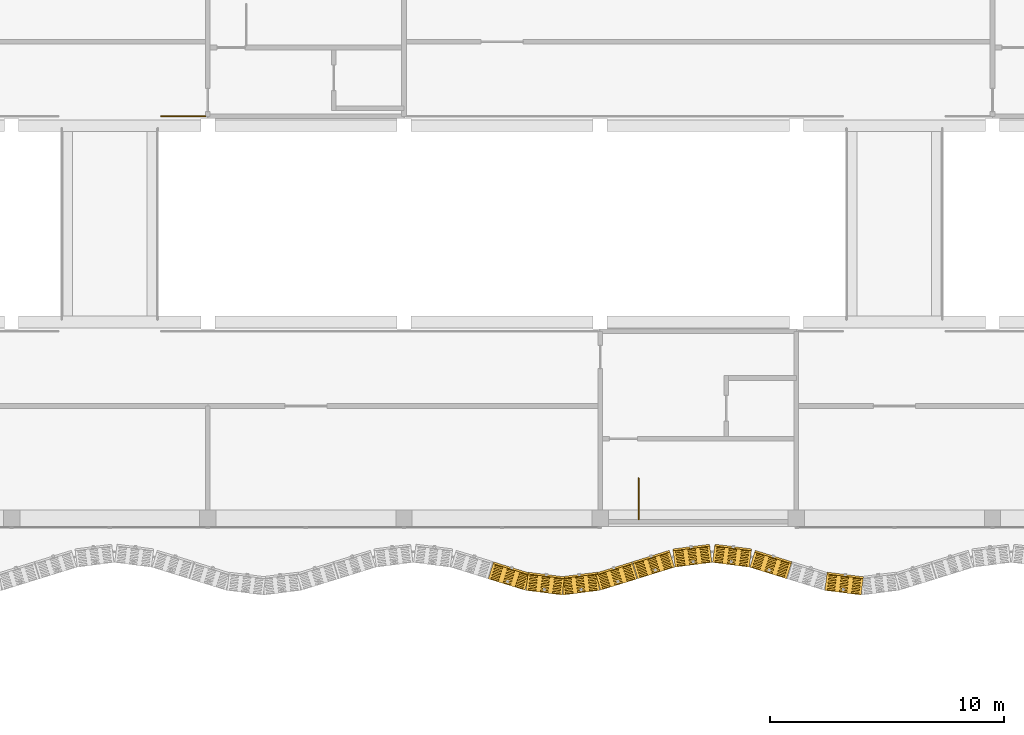
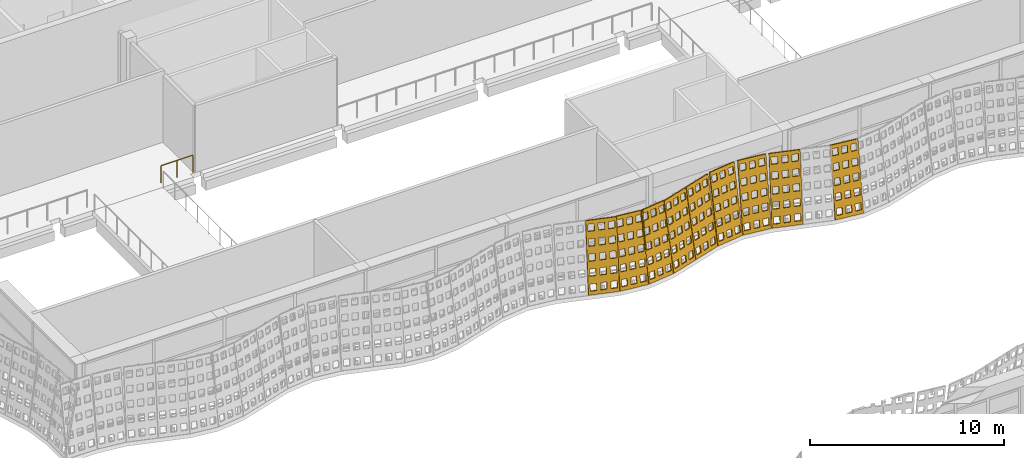
# One storey, part 133 of 162: 9 coverings, 2 railings.
"""IFC4 building model written with IfcOpenShell, lengths in metres."""

from ifc_helpers import new_model, si_unit, direction, frame, origin, origin_2d, place, context, subcontext, project, spatial, polyline, circle, outline, extrude, material, layer, layer_set, type_object, element, save


model = new_model("IFC4")

# Units and contexts
model_context = context("Model", 3, precision=1e-05, world=origin(), true_north=direction((0.0, 1.0)))
body_context = subcontext(model_context, "Body", "Model", "MODEL_VIEW")
ifc_project = project(units=[si_unit("LENGTHUNIT", "METRE"), si_unit("AREAUNIT", "SQUARE_METRE"), si_unit("VOLUMEUNIT", "CUBIC_METRE"), si_unit("PLANEANGLEUNIT", "RADIAN"), si_unit("MASSUNIT", "GRAM", prefix="KILO")], contexts=[model_context])

# Site, building, storey
site_placement = place(None, origin())
site = spatial("IfcSite", under=ifc_project, at=site_placement, CompositionType="ELEMENT")
building_placement = place(site_placement, origin())
building = spatial("IfcBuilding", under=site, at=building_placement, Name="Rain Tree Exposition and Congress Centre", CompositionType="ELEMENT")
storey_placement = place(building_placement, frame((0.0, 0.0, 6.0)))
storey = spatial("IfcBuildingStorey", under=building, at=storey_placement, Name="L01", CompositionType="ELEMENT", Elevation=6.0)

# Railings
ifc_material_1 = material(Name="Aluminium and glass balustrade", Category="aluminium")
railing_type = type_object("IfcRailingType", Name="Concourse guard 1100", PredefinedType="GUARDRAIL", material=ifc_material_1)
railing_1_placement = place(storey_placement, frame((35.25, 75.550048828125, 0.0)))
element("IfcRailing", 1, at=railing_1_placement, inside=storey, type_object=railing_type, Name="L01 ST-C1 top well guard 1", PredefinedType="GUARDRAIL", context=body_context, shape_type="SweptSolid", body=[
    extrude(circle(Radius=0.02392578125, at=origin_2d()), frame((0.0, 0.0, 1.076171875), z_axis=(0.0, 1.0, 0.0), x_axis=(-1.0, 0.0, 0.0)), (0.0, 0.0, 1.0), 1.75),
    extrude(circle(Radius=0.02099609375, at=origin_2d()), origin(), (0.0, 0.0, 1.0), 1.052001953125),
    extrude(circle(Radius=0.02099609375, at=origin_2d()), frame((0.0, 0.875, 0.0)), (0.0, 0.0, 1.0), 1.052001953125),
    extrude(circle(Radius=0.02099609375, at=origin_2d()), frame((0.0, 1.75, 0.0)), (0.0, 0.0, 1.0), 1.052001953125),
])
railing_2_placement = place(storey_placement, frame((14.800048828125, 92.800048828125, 0.0)))
element("IfcRailing", 2, at=railing_2_placement, inside=storey, type_object=railing_type, Name="Concourse promenade guard 15", PredefinedType="GUARDRAIL", context=body_context, shape_type="SweptSolid", body=[
    extrude(circle(Radius=0.02392578125, at=origin_2d()), frame((0.0, 0.0, 1.076171875), z_axis=(1.0, 0.0, 0.0), x_axis=(0.0, 1.0, 0.0)), (0.0, 0.0, 1.0), 1.89990234375),
    extrude(circle(Radius=0.02099609375, at=origin_2d()), origin(), (0.0, 0.0, 1.0), 1.052001953125),
    extrude(circle(Radius=0.02099609375, at=origin_2d()), frame((0.949951171875, 0.0, 0.0)), (0.0, 0.0, 1.0), 1.052001953125),
    extrude(circle(Radius=0.02099609375, at=origin_2d()), frame((1.89990234375, 0.0, 0.0)), (0.0, 0.0, 1.0), 1.052001953125),
])

# Coverings
ifc_material_2 = material(Name="Perforated terracotta", Category="masonry")
ifc_layer = layer(ifc_material_2, 0.080078125)
ifc_layer_set = layer_set([ifc_layer], Name="Perforated terracotta")
covering_type = type_object("IfcCoveringType", Name="Terracotta screen 80", PredefinedType="CLADDING", material=ifc_layer_set)
covering_1_placement = place(storey_placement, frame((28.800537109375, 73.001708984375, 0.0126953125), z_axis=(0.292932171154, 0.942875425902, -0.158671592708), x_axis=(-0.954973588716, 0.296690823679, 0.0)))
element("IfcCovering", 3, at=covering_1_placement, inside=storey, type_object=covering_type, Name="concourse/screen/L01/019", PredefinedType="CLADDING", context=body_context, shape_type="SweptSolid", body=[
    extrude(outline(polyline([(-1.65283203125, 0.0), (-1.65283203125, 4.29150390625), (-0.014892578125, 4.29150390625), (-0.014892578125, 0.0), (-1.65283203125, 0.0)]), holes=[polyline([(-0.11865234375, 0.221435546875), (-0.11865234375, 0.63671875), (-0.457275390625, 0.63671875), (-0.457275390625, 0.221435546875), (-0.11865234375, 0.221435546875)]), polyline([(-0.11865234375, 1.079833984375), (-0.11865234375, 1.4951171875), (-0.457275390625, 1.4951171875), (-0.457275390625, 1.079833984375), (-0.11865234375, 1.079833984375)]), polyline([(-0.11865234375, 1.93798828125), (-0.11865234375, 2.353271484375), (-0.457275390625, 2.353271484375), (-0.457275390625, 1.93798828125), (-0.11865234375, 1.93798828125)]), polyline([(-0.11865234375, 2.79638671875), (-0.11865234375, 3.211669921875), (-0.457275390625, 3.211669921875), (-0.457275390625, 2.79638671875), (-0.11865234375, 2.79638671875)]), polyline([(-0.11865234375, 3.654541015625), (-0.11865234375, 4.06982421875), (-0.457275390625, 4.06982421875), (-0.457275390625, 3.654541015625), (-0.11865234375, 3.654541015625)]), polyline([(-0.664794921875, 0.221435546875), (-0.664794921875, 0.63671875), (-1.003173828125, 0.63671875), (-1.003173828125, 0.221435546875), (-0.664794921875, 0.221435546875)]), polyline([(-0.664794921875, 1.079833984375), (-0.664794921875, 1.4951171875), (-1.003173828125, 1.4951171875), (-1.003173828125, 1.079833984375), (-0.664794921875, 1.079833984375)]), polyline([(-0.664794921875, 1.93798828125), (-0.664794921875, 2.353271484375), (-1.003173828125, 2.353271484375), (-1.003173828125, 1.93798828125), (-0.664794921875, 1.93798828125)]), polyline([(-0.664794921875, 2.79638671875), (-0.664794921875, 3.211669921875), (-1.003173828125, 3.211669921875), (-1.003173828125, 2.79638671875), (-0.664794921875, 2.79638671875)]), polyline([(-0.664794921875, 3.654541015625), (-0.664794921875, 4.06982421875), (-1.003173828125, 4.06982421875), (-1.003173828125, 3.654541015625), (-0.664794921875, 3.654541015625)]), polyline([(-1.210693359375, 0.221435546875), (-1.210693359375, 0.63671875), (-1.54931640625, 0.63671875), (-1.54931640625, 0.221435546875), (-1.210693359375, 0.221435546875)]), polyline([(-1.210693359375, 1.079833984375), (-1.210693359375, 1.4951171875), (-1.54931640625, 1.4951171875), (-1.54931640625, 1.079833984375), (-1.210693359375, 1.079833984375)]), polyline([(-1.210693359375, 1.93798828125), (-1.210693359375, 2.353271484375), (-1.54931640625, 2.353271484375), (-1.54931640625, 1.93798828125), (-1.210693359375, 1.93798828125)]), polyline([(-1.210693359375, 2.79638671875), (-1.210693359375, 3.211669921875), (-1.54931640625, 3.211669921875), (-1.54931640625, 2.79638671875), (-1.210693359375, 2.79638671875)]), polyline([(-1.210693359375, 3.654541015625), (-1.210693359375, 4.06982421875), (-1.54931640625, 4.06982421875), (-1.54931640625, 3.654541015625), (-1.210693359375, 3.654541015625)])]), origin(), (0.0, 0.0, 1.0), 0.080078125),
])
covering_2_placement = place(storey_placement, frame((30.400390625, 72.5068359375, 0.01318359375), z_axis=(0.124968640969, 0.978413018317, -0.164592844203), x_axis=(-0.991941518713, 0.126696580272, 0.0)))
element("IfcCovering", 4, at=covering_2_placement, inside=storey, type_object=covering_type, Name="concourse/screen/L01/020", PredefinedType="CLADDING", context=body_context, shape_type="SweptSolid", body=[
    extrude(outline(polyline([(-1.587890625, 0.0), (-1.587890625, 4.295166015625), (-0.02197265625, 4.295166015625), (-0.02197265625, 0.0), (-1.587890625, 0.0)]), holes=[polyline([(-0.12109375, 0.2216796875), (-0.12109375, 0.63720703125), (-0.444580078125, 0.63720703125), (-0.444580078125, 0.2216796875), (-0.12109375, 0.2216796875)]), polyline([(-0.12109375, 1.080810546875), (-0.12109375, 1.496337890625), (-0.444580078125, 1.496337890625), (-0.444580078125, 1.080810546875), (-0.12109375, 1.080810546875)]), polyline([(-0.12109375, 1.939697265625), (-0.12109375, 2.35546875), (-0.444580078125, 2.35546875), (-0.444580078125, 1.939697265625), (-0.12109375, 1.939697265625)]), polyline([(-0.12109375, 2.798583984375), (-0.12109375, 3.21435546875), (-0.444580078125, 3.21435546875), (-0.444580078125, 2.798583984375), (-0.12109375, 2.798583984375)]), polyline([(-0.12109375, 3.65771484375), (-0.12109375, 4.073486328125), (-0.444580078125, 4.073486328125), (-0.444580078125, 3.65771484375), (-0.12109375, 3.65771484375)]), polyline([(-0.64306640625, 0.2216796875), (-0.64306640625, 0.63720703125), (-0.966796875, 0.63720703125), (-0.966796875, 0.2216796875), (-0.64306640625, 0.2216796875)]), polyline([(-0.64306640625, 1.080810546875), (-0.64306640625, 1.496337890625), (-0.966796875, 1.496337890625), (-0.966796875, 1.080810546875), (-0.64306640625, 1.080810546875)]), polyline([(-0.64306640625, 1.939697265625), (-0.64306640625, 2.35546875), (-0.966796875, 2.35546875), (-0.966796875, 1.939697265625), (-0.64306640625, 1.939697265625)]), polyline([(-0.64306640625, 2.798583984375), (-0.64306640625, 3.21435546875), (-0.966796875, 3.21435546875), (-0.966796875, 2.798583984375), (-0.64306640625, 2.798583984375)]), polyline([(-0.64306640625, 3.65771484375), (-0.64306640625, 4.073486328125), (-0.966796875, 4.073486328125), (-0.966796875, 3.65771484375), (-0.64306640625, 3.65771484375)]), polyline([(-1.1650390625, 0.2216796875), (-1.1650390625, 0.63720703125), (-1.48876953125, 0.63720703125), (-1.48876953125, 0.2216796875), (-1.1650390625, 0.2216796875)]), polyline([(-1.1650390625, 1.080810546875), (-1.1650390625, 1.496337890625), (-1.48876953125, 1.496337890625), (-1.48876953125, 1.080810546875), (-1.1650390625, 1.080810546875)]), polyline([(-1.1650390625, 1.939697265625), (-1.1650390625, 2.35546875), (-1.48876953125, 2.35546875), (-1.48876953125, 1.939697265625), (-1.1650390625, 1.939697265625)]), polyline([(-1.1650390625, 2.798583984375), (-1.1650390625, 3.21435546875), (-1.48876953125, 3.21435546875), (-1.48876953125, 2.798583984375), (-1.1650390625, 2.798583984375)]), polyline([(-1.1650390625, 3.65771484375), (-1.1650390625, 4.073486328125), (-1.48876953125, 4.073486328125), (-1.48876953125, 3.65771484375), (-1.1650390625, 3.65771484375)])]), origin(), (0.0, 0.0, 1.0), 0.080078125),
])
covering_3_placement = place(storey_placement, frame((31.999755859375, 72.302001953125, 0.01318359375), z_axis=(-0.125342414455, 0.978282259159, -0.165085131233), x_axis=(-0.991891686382, -0.127086122318, 0.0)))
element("IfcCovering", 5, at=covering_3_placement, inside=storey, type_object=covering_type, Name="concourse/screen/L01/021", PredefinedType="CLADDING", context=body_context, shape_type="SweptSolid", body=[
    extrude(outline(polyline([(-1.59130859375, 0.0), (-1.59130859375, 4.295166015625), (-0.025146484375, 4.295166015625), (-0.025146484375, 0.0), (-1.59130859375, 0.0)]), holes=[polyline([(-0.12451171875, 0.2216796875), (-0.12451171875, 0.63720703125), (-0.447998046875, 0.63720703125), (-0.447998046875, 0.2216796875), (-0.12451171875, 0.2216796875)]), polyline([(-0.12451171875, 1.080810546875), (-0.12451171875, 1.496337890625), (-0.447998046875, 1.496337890625), (-0.447998046875, 1.080810546875), (-0.12451171875, 1.080810546875)]), polyline([(-0.12451171875, 1.939697265625), (-0.12451171875, 2.35546875), (-0.447998046875, 2.35546875), (-0.447998046875, 1.939697265625), (-0.12451171875, 1.939697265625)]), polyline([(-0.12451171875, 2.798583984375), (-0.12451171875, 3.21435546875), (-0.447998046875, 3.21435546875), (-0.447998046875, 2.798583984375), (-0.12451171875, 2.798583984375)]), polyline([(-0.12451171875, 3.65771484375), (-0.12451171875, 4.073486328125), (-0.447998046875, 4.073486328125), (-0.447998046875, 3.65771484375), (-0.12451171875, 3.65771484375)]), polyline([(-0.646484375, 0.2216796875), (-0.646484375, 0.63720703125), (-0.969970703125, 0.63720703125), (-0.969970703125, 0.2216796875), (-0.646484375, 0.2216796875)]), polyline([(-0.646484375, 1.080810546875), (-0.646484375, 1.496337890625), (-0.969970703125, 1.496337890625), (-0.969970703125, 1.080810546875), (-0.646484375, 1.080810546875)]), polyline([(-0.646484375, 1.939697265625), (-0.646484375, 2.35546875), (-0.969970703125, 2.35546875), (-0.969970703125, 1.939697265625), (-0.646484375, 1.939697265625)]), polyline([(-0.646484375, 2.798583984375), (-0.646484375, 3.21435546875), (-0.969970703125, 3.21435546875), (-0.969970703125, 2.798583984375), (-0.646484375, 2.798583984375)]), polyline([(-0.646484375, 3.65771484375), (-0.646484375, 4.073486328125), (-0.969970703125, 4.073486328125), (-0.969970703125, 3.65771484375), (-0.646484375, 3.65771484375)]), polyline([(-1.16845703125, 0.2216796875), (-1.16845703125, 0.63720703125), (-1.491943359375, 0.63720703125), (-1.491943359375, 0.2216796875), (-1.16845703125, 0.2216796875)]), polyline([(-1.16845703125, 1.080810546875), (-1.16845703125, 1.496337890625), (-1.491943359375, 1.496337890625), (-1.491943359375, 1.080810546875), (-1.16845703125, 1.080810546875)]), polyline([(-1.16845703125, 1.939697265625), (-1.16845703125, 2.35546875), (-1.491943359375, 2.35546875), (-1.491943359375, 1.939697265625), (-1.16845703125, 1.939697265625)]), polyline([(-1.16845703125, 2.798583984375), (-1.16845703125, 3.21435546875), (-1.491943359375, 3.21435546875), (-1.491943359375, 2.798583984375), (-1.16845703125, 2.798583984375)]), polyline([(-1.16845703125, 3.65771484375), (-1.16845703125, 4.073486328125), (-1.491943359375, 4.073486328125), (-1.491943359375, 3.65771484375), (-1.16845703125, 3.65771484375)])]), origin(), (0.0, 0.0, 1.0), 0.079833984375),
])
covering_4_placement = place(storey_placement, frame((33.599365234375, 72.506591796875, 0.0126953125), z_axis=(-0.290138898064, 0.943714942124, -0.158812870519), x_axis=(-0.955845867297, -0.293868470528, 0.0)))
element("IfcCovering", 6, at=covering_4_placement, inside=storey, type_object=covering_type, Name="concourse/screen/L01/022", PredefinedType="CLADDING", context=body_context, shape_type="SweptSolid", body=[
    extrude(outline(polyline([(-1.659912109375, 0.0), (-1.659912109375, 4.29150390625), (-0.02197265625, 4.29150390625), (-0.02197265625, 0.0), (-1.659912109375, 0.0)]), holes=[polyline([(-0.125732421875, 0.221435546875), (-0.125732421875, 0.63671875), (-0.464111328125, 0.63671875), (-0.464111328125, 0.221435546875), (-0.125732421875, 0.221435546875)]), polyline([(-0.125732421875, 1.079833984375), (-0.125732421875, 1.4951171875), (-0.464111328125, 1.4951171875), (-0.464111328125, 1.079833984375), (-0.125732421875, 1.079833984375)]), polyline([(-0.125732421875, 1.93798828125), (-0.125732421875, 2.353271484375), (-0.464111328125, 2.353271484375), (-0.464111328125, 1.93798828125), (-0.125732421875, 1.93798828125)]), polyline([(-0.125732421875, 2.79638671875), (-0.125732421875, 3.211669921875), (-0.464111328125, 3.211669921875), (-0.464111328125, 2.79638671875), (-0.125732421875, 2.79638671875)]), polyline([(-0.125732421875, 3.654541015625), (-0.125732421875, 4.06982421875), (-0.464111328125, 4.06982421875), (-0.464111328125, 3.654541015625), (-0.125732421875, 3.654541015625)]), polyline([(-0.671630859375, 0.221435546875), (-0.671630859375, 0.63671875), (-1.010009765625, 0.63671875), (-1.010009765625, 0.221435546875), (-0.671630859375, 0.221435546875)]), polyline([(-0.671630859375, 1.079833984375), (-0.671630859375, 1.4951171875), (-1.010009765625, 1.4951171875), (-1.010009765625, 1.079833984375), (-0.671630859375, 1.079833984375)]), polyline([(-0.671630859375, 1.93798828125), (-0.671630859375, 2.353271484375), (-1.010009765625, 2.353271484375), (-1.010009765625, 1.93798828125), (-0.671630859375, 1.93798828125)]), polyline([(-0.671630859375, 2.79638671875), (-0.671630859375, 3.211669921875), (-1.010009765625, 3.211669921875), (-1.010009765625, 2.79638671875), (-0.671630859375, 2.79638671875)]), polyline([(-0.671630859375, 3.654541015625), (-0.671630859375, 4.06982421875), (-1.010009765625, 4.06982421875), (-1.010009765625, 3.654541015625), (-0.671630859375, 3.654541015625)]), polyline([(-1.217529296875, 0.221435546875), (-1.217529296875, 0.63671875), (-1.55615234375, 0.63671875), (-1.55615234375, 0.221435546875), (-1.217529296875, 0.221435546875)]), polyline([(-1.217529296875, 1.079833984375), (-1.217529296875, 1.4951171875), (-1.55615234375, 1.4951171875), (-1.55615234375, 1.079833984375), (-1.217529296875, 1.079833984375)]), polyline([(-1.217529296875, 1.93798828125), (-1.217529296875, 2.353271484375), (-1.55615234375, 2.353271484375), (-1.55615234375, 1.93798828125), (-1.217529296875, 1.93798828125)]), polyline([(-1.217529296875, 2.79638671875), (-1.217529296875, 3.211669921875), (-1.55615234375, 3.211669921875), (-1.55615234375, 2.79638671875), (-1.217529296875, 2.79638671875)]), polyline([(-1.217529296875, 3.654541015625), (-1.217529296875, 4.06982421875), (-1.55615234375, 4.06982421875), (-1.55615234375, 3.654541015625), (-1.217529296875, 3.654541015625)])]), origin(), (0.0, 0.0, 1.0), 0.079833984375),
])
covering_5_placement = place(storey_placement, frame((35.199462890625, 73.001708984375, 0.0126953125), z_axis=(-0.292932171154, 0.942875425902, -0.158671592708), x_axis=(-0.954973588716, -0.296690823679, 0.0)))
element("IfcCovering", 7, at=covering_5_placement, inside=storey, type_object=covering_type, Name="concourse/screen/L01/023", PredefinedType="CLADDING", context=body_context, shape_type="SweptSolid", body=[
    extrude(outline(polyline([(-1.659912109375, 0.0), (-1.659912109375, 4.29150390625), (-0.014892578125, 4.29150390625), (-0.014892578125, 0.0), (-1.659912109375, 0.0)]), holes=[polyline([(-0.119140625, 0.221435546875), (-0.119140625, 0.63671875), (-0.458984375, 0.63671875), (-0.458984375, 0.221435546875), (-0.119140625, 0.221435546875)]), polyline([(-0.119140625, 1.079833984375), (-0.119140625, 1.4951171875), (-0.458984375, 1.4951171875), (-0.458984375, 1.079833984375), (-0.119140625, 1.079833984375)]), polyline([(-0.119140625, 1.93798828125), (-0.119140625, 2.353271484375), (-0.458984375, 2.353271484375), (-0.458984375, 1.93798828125), (-0.119140625, 1.93798828125)]), polyline([(-0.119140625, 2.79638671875), (-0.119140625, 3.211669921875), (-0.458984375, 3.211669921875), (-0.458984375, 2.79638671875), (-0.119140625, 2.79638671875)]), polyline([(-0.119140625, 3.654541015625), (-0.119140625, 4.06982421875), (-0.458984375, 4.06982421875), (-0.458984375, 3.654541015625), (-0.119140625, 3.654541015625)]), polyline([(-0.66748046875, 0.221435546875), (-0.66748046875, 0.63671875), (-1.00732421875, 0.63671875), (-1.00732421875, 0.221435546875), (-0.66748046875, 0.221435546875)]), polyline([(-0.66748046875, 1.079833984375), (-0.66748046875, 1.4951171875), (-1.00732421875, 1.4951171875), (-1.00732421875, 1.079833984375), (-0.66748046875, 1.079833984375)]), polyline([(-0.66748046875, 1.93798828125), (-0.66748046875, 2.353271484375), (-1.00732421875, 2.353271484375), (-1.00732421875, 1.93798828125), (-0.66748046875, 1.93798828125)]), polyline([(-0.66748046875, 2.79638671875), (-0.66748046875, 3.211669921875), (-1.00732421875, 3.211669921875), (-1.00732421875, 2.79638671875), (-0.66748046875, 2.79638671875)]), polyline([(-0.66748046875, 3.654541015625), (-0.66748046875, 4.06982421875), (-1.00732421875, 4.06982421875), (-1.00732421875, 3.654541015625), (-0.66748046875, 3.654541015625)]), polyline([(-1.2158203125, 0.221435546875), (-1.2158203125, 0.63671875), (-1.5556640625, 0.63671875), (-1.5556640625, 0.221435546875), (-1.2158203125, 0.221435546875)]), polyline([(-1.2158203125, 1.079833984375), (-1.2158203125, 1.4951171875), (-1.5556640625, 1.4951171875), (-1.5556640625, 1.079833984375), (-1.2158203125, 1.079833984375)]), polyline([(-1.2158203125, 1.93798828125), (-1.2158203125, 2.353271484375), (-1.5556640625, 2.353271484375), (-1.5556640625, 1.93798828125), (-1.2158203125, 1.93798828125)]), polyline([(-1.2158203125, 2.79638671875), (-1.2158203125, 3.211669921875), (-1.5556640625, 3.211669921875), (-1.5556640625, 2.79638671875), (-1.2158203125, 2.79638671875)]), polyline([(-1.2158203125, 3.654541015625), (-1.2158203125, 4.06982421875), (-1.5556640625, 4.06982421875), (-1.5556640625, 3.654541015625), (-1.2158203125, 3.654541015625)])]), origin(), (0.0, 0.0, 1.0), 0.080078125),
])
covering_6_placement = place(storey_placement, frame((36.7998046875, 73.496826171875, 0.01318359375), z_axis=(-0.124968640969, 0.978413018317, -0.164592844203), x_axis=(-0.991941518713, -0.126696580272, 0.0)))
element("IfcCovering", 8, at=covering_6_placement, inside=storey, type_object=covering_type, Name="concourse/screen/L01/024", PredefinedType="CLADDING", context=body_context, shape_type="SweptSolid", body=[
    extrude(outline(polyline([(-1.59814453125, 0.0), (-1.59814453125, 4.295166015625), (-0.014892578125, 4.295166015625), (-0.014892578125, 0.0), (-1.59814453125, 0.0)]), holes=[polyline([(-0.115234375, 0.2216796875), (-0.115234375, 0.63720703125), (-0.4423828125, 0.63720703125), (-0.4423828125, 0.2216796875), (-0.115234375, 0.2216796875)]), polyline([(-0.115234375, 1.080810546875), (-0.115234375, 1.496337890625), (-0.4423828125, 1.496337890625), (-0.4423828125, 1.080810546875), (-0.115234375, 1.080810546875)]), polyline([(-0.115234375, 1.939697265625), (-0.115234375, 2.35546875), (-0.4423828125, 2.35546875), (-0.4423828125, 1.939697265625), (-0.115234375, 1.939697265625)]), polyline([(-0.115234375, 2.798583984375), (-0.115234375, 3.21435546875), (-0.4423828125, 3.21435546875), (-0.4423828125, 2.798583984375), (-0.115234375, 2.798583984375)]), polyline([(-0.115234375, 3.65771484375), (-0.115234375, 4.073486328125), (-0.4423828125, 4.073486328125), (-0.4423828125, 3.65771484375), (-0.115234375, 3.65771484375)]), polyline([(-0.64306640625, 0.2216796875), (-0.64306640625, 0.63720703125), (-0.97021484375, 0.63720703125), (-0.97021484375, 0.2216796875), (-0.64306640625, 0.2216796875)]), polyline([(-0.64306640625, 1.080810546875), (-0.64306640625, 1.496337890625), (-0.97021484375, 1.496337890625), (-0.97021484375, 1.080810546875), (-0.64306640625, 1.080810546875)]), polyline([(-0.64306640625, 1.939697265625), (-0.64306640625, 2.35546875), (-0.97021484375, 2.35546875), (-0.97021484375, 1.939697265625), (-0.64306640625, 1.939697265625)]), polyline([(-0.64306640625, 2.798583984375), (-0.64306640625, 3.21435546875), (-0.97021484375, 3.21435546875), (-0.97021484375, 2.798583984375), (-0.64306640625, 2.798583984375)]), polyline([(-0.64306640625, 3.65771484375), (-0.64306640625, 4.073486328125), (-0.97021484375, 4.073486328125), (-0.97021484375, 3.65771484375), (-0.64306640625, 3.65771484375)]), polyline([(-1.170654296875, 0.2216796875), (-1.170654296875, 0.63720703125), (-1.497802734375, 0.63720703125), (-1.497802734375, 0.2216796875), (-1.170654296875, 0.2216796875)]), polyline([(-1.170654296875, 1.080810546875), (-1.170654296875, 1.496337890625), (-1.497802734375, 1.496337890625), (-1.497802734375, 1.080810546875), (-1.170654296875, 1.080810546875)]), polyline([(-1.170654296875, 1.939697265625), (-1.170654296875, 2.35546875), (-1.497802734375, 2.35546875), (-1.497802734375, 1.939697265625), (-1.170654296875, 1.939697265625)]), polyline([(-1.170654296875, 2.798583984375), (-1.170654296875, 3.21435546875), (-1.497802734375, 3.21435546875), (-1.497802734375, 2.798583984375), (-1.170654296875, 2.798583984375)]), polyline([(-1.170654296875, 3.65771484375), (-1.170654296875, 4.073486328125), (-1.497802734375, 4.073486328125), (-1.497802734375, 3.65771484375), (-1.170654296875, 3.65771484375)])]), origin(), (0.0, 0.0, 1.0), 0.080078125),
])
covering_7_placement = place(storey_placement, frame((38.400390625, 73.701904296875, 0.01318359375), z_axis=(0.125342414455, 0.978282259159, -0.165085131233), x_axis=(-0.991891686382, 0.127086122318, 0.0)))
element("IfcCovering", 9, at=covering_7_placement, inside=storey, type_object=covering_type, Name="concourse/screen/L01/025", PredefinedType="CLADDING", context=body_context, shape_type="SweptSolid", body=[
    extrude(outline(polyline([(-1.59814453125, 0.0), (-1.59814453125, 4.295166015625), (-0.014892578125, 4.295166015625), (-0.014892578125, 0.0), (-1.59814453125, 0.0)]), holes=[polyline([(-0.115234375, 0.2216796875), (-0.115234375, 0.63720703125), (-0.4423828125, 0.63720703125), (-0.4423828125, 0.2216796875), (-0.115234375, 0.2216796875)]), polyline([(-0.115234375, 1.080810546875), (-0.115234375, 1.496337890625), (-0.4423828125, 1.496337890625), (-0.4423828125, 1.080810546875), (-0.115234375, 1.080810546875)]), polyline([(-0.115234375, 1.939697265625), (-0.115234375, 2.35546875), (-0.4423828125, 2.35546875), (-0.4423828125, 1.939697265625), (-0.115234375, 1.939697265625)]), polyline([(-0.115234375, 2.798583984375), (-0.115234375, 3.21435546875), (-0.4423828125, 3.21435546875), (-0.4423828125, 2.798583984375), (-0.115234375, 2.798583984375)]), polyline([(-0.115234375, 3.65771484375), (-0.115234375, 4.073486328125), (-0.4423828125, 4.073486328125), (-0.4423828125, 3.65771484375), (-0.115234375, 3.65771484375)]), polyline([(-0.64306640625, 0.2216796875), (-0.64306640625, 0.63720703125), (-0.97021484375, 0.63720703125), (-0.97021484375, 0.2216796875), (-0.64306640625, 0.2216796875)]), polyline([(-0.64306640625, 1.080810546875), (-0.64306640625, 1.496337890625), (-0.97021484375, 1.496337890625), (-0.97021484375, 1.080810546875), (-0.64306640625, 1.080810546875)]), polyline([(-0.64306640625, 1.939697265625), (-0.64306640625, 2.35546875), (-0.97021484375, 2.35546875), (-0.97021484375, 1.939697265625), (-0.64306640625, 1.939697265625)]), polyline([(-0.64306640625, 2.798583984375), (-0.64306640625, 3.21435546875), (-0.97021484375, 3.21435546875), (-0.97021484375, 2.798583984375), (-0.64306640625, 2.798583984375)]), polyline([(-0.64306640625, 3.65771484375), (-0.64306640625, 4.073486328125), (-0.97021484375, 4.073486328125), (-0.97021484375, 3.65771484375), (-0.64306640625, 3.65771484375)]), polyline([(-1.170654296875, 0.2216796875), (-1.170654296875, 0.63720703125), (-1.497802734375, 0.63720703125), (-1.497802734375, 0.2216796875), (-1.170654296875, 0.2216796875)]), polyline([(-1.170654296875, 1.080810546875), (-1.170654296875, 1.496337890625), (-1.497802734375, 1.496337890625), (-1.497802734375, 1.080810546875), (-1.170654296875, 1.080810546875)]), polyline([(-1.170654296875, 1.939697265625), (-1.170654296875, 2.35546875), (-1.497802734375, 2.35546875), (-1.497802734375, 1.939697265625), (-1.170654296875, 1.939697265625)]), polyline([(-1.170654296875, 2.798583984375), (-1.170654296875, 3.21435546875), (-1.497802734375, 3.21435546875), (-1.497802734375, 2.798583984375), (-1.170654296875, 2.798583984375)]), polyline([(-1.170654296875, 3.65771484375), (-1.170654296875, 4.073486328125), (-1.497802734375, 4.073486328125), (-1.497802734375, 3.65771484375), (-1.170654296875, 3.65771484375)])]), origin(), (0.0, 0.0, 1.0), 0.079833984375),
])
covering_8_placement = place(storey_placement, frame((40.00048828125, 73.49658203125, 0.0126953125), z_axis=(0.292932171154, 0.942875425902, -0.158671592708), x_axis=(-0.954973588716, 0.296690823679, 0.0)))
element("IfcCovering", 10, at=covering_8_placement, inside=storey, type_object=covering_type, Name="concourse/screen/L01/026", PredefinedType="CLADDING", context=body_context, shape_type="SweptSolid", body=[
    extrude(outline(polyline([(-1.659912109375, 0.0), (-1.659912109375, 4.29150390625), (-0.014892578125, 4.29150390625), (-0.014892578125, 0.0), (-1.659912109375, 0.0)]), holes=[polyline([(-0.119140625, 0.221435546875), (-0.119140625, 0.63671875), (-0.458984375, 0.63671875), (-0.458984375, 0.221435546875), (-0.119140625, 0.221435546875)]), polyline([(-0.119140625, 1.079833984375), (-0.119140625, 1.4951171875), (-0.458984375, 1.4951171875), (-0.458984375, 1.079833984375), (-0.119140625, 1.079833984375)]), polyline([(-0.119140625, 1.93798828125), (-0.119140625, 2.353271484375), (-0.458984375, 2.353271484375), (-0.458984375, 1.93798828125), (-0.119140625, 1.93798828125)]), polyline([(-0.119140625, 2.79638671875), (-0.119140625, 3.211669921875), (-0.458984375, 3.211669921875), (-0.458984375, 2.79638671875), (-0.119140625, 2.79638671875)]), polyline([(-0.119140625, 3.654541015625), (-0.119140625, 4.06982421875), (-0.458984375, 4.06982421875), (-0.458984375, 3.654541015625), (-0.119140625, 3.654541015625)]), polyline([(-0.66748046875, 0.221435546875), (-0.66748046875, 0.63671875), (-1.00732421875, 0.63671875), (-1.00732421875, 0.221435546875), (-0.66748046875, 0.221435546875)]), polyline([(-0.66748046875, 1.079833984375), (-0.66748046875, 1.4951171875), (-1.00732421875, 1.4951171875), (-1.00732421875, 1.079833984375), (-0.66748046875, 1.079833984375)]), polyline([(-0.66748046875, 1.93798828125), (-0.66748046875, 2.353271484375), (-1.00732421875, 2.353271484375), (-1.00732421875, 1.93798828125), (-0.66748046875, 1.93798828125)]), polyline([(-0.66748046875, 2.79638671875), (-0.66748046875, 3.211669921875), (-1.00732421875, 3.211669921875), (-1.00732421875, 2.79638671875), (-0.66748046875, 2.79638671875)]), polyline([(-0.66748046875, 3.654541015625), (-0.66748046875, 4.06982421875), (-1.00732421875, 4.06982421875), (-1.00732421875, 3.654541015625), (-0.66748046875, 3.654541015625)]), polyline([(-1.2158203125, 0.221435546875), (-1.2158203125, 0.63671875), (-1.5556640625, 0.63671875), (-1.5556640625, 0.221435546875), (-1.2158203125, 0.221435546875)]), polyline([(-1.2158203125, 1.079833984375), (-1.2158203125, 1.4951171875), (-1.5556640625, 1.4951171875), (-1.5556640625, 1.079833984375), (-1.2158203125, 1.079833984375)]), polyline([(-1.2158203125, 1.93798828125), (-1.2158203125, 2.353271484375), (-1.5556640625, 2.353271484375), (-1.5556640625, 1.93798828125), (-1.2158203125, 1.93798828125)]), polyline([(-1.2158203125, 2.79638671875), (-1.2158203125, 3.211669921875), (-1.5556640625, 3.211669921875), (-1.5556640625, 2.79638671875), (-1.2158203125, 2.79638671875)]), polyline([(-1.2158203125, 3.654541015625), (-1.2158203125, 4.06982421875), (-1.5556640625, 4.06982421875), (-1.5556640625, 3.654541015625), (-1.2158203125, 3.654541015625)])]), origin(), (0.0, 0.0, 1.0), 0.080078125),
])
covering_9_placement = place(storey_placement, frame((43.2001953125, 72.5068359375, 0.01318359375), z_axis=(0.124968640969, 0.978413018317, -0.164592844203), x_axis=(-0.991941518713, 0.126696580272, 0.0)))
element("IfcCovering", 11, at=covering_9_placement, inside=storey, type_object=covering_type, Name="concourse/screen/L01/028", PredefinedType="CLADDING", context=body_context, shape_type="SweptSolid", body=[
    extrude(outline(polyline([(-1.587890625, 0.0), (-1.587890625, 4.295166015625), (-0.02197265625, 4.295166015625), (-0.02197265625, 0.0), (-1.587890625, 0.0)]), holes=[polyline([(-0.12109375, 0.2216796875), (-0.12109375, 0.63720703125), (-0.444580078125, 0.63720703125), (-0.444580078125, 0.2216796875), (-0.12109375, 0.2216796875)]), polyline([(-0.12109375, 1.080810546875), (-0.12109375, 1.496337890625), (-0.444580078125, 1.496337890625), (-0.444580078125, 1.080810546875), (-0.12109375, 1.080810546875)]), polyline([(-0.12109375, 1.939697265625), (-0.12109375, 2.35546875), (-0.444580078125, 2.35546875), (-0.444580078125, 1.939697265625), (-0.12109375, 1.939697265625)]), polyline([(-0.12109375, 2.798583984375), (-0.12109375, 3.21435546875), (-0.444580078125, 3.21435546875), (-0.444580078125, 2.798583984375), (-0.12109375, 2.798583984375)]), polyline([(-0.12109375, 3.65771484375), (-0.12109375, 4.073486328125), (-0.444580078125, 4.073486328125), (-0.444580078125, 3.65771484375), (-0.12109375, 3.65771484375)]), polyline([(-0.64306640625, 0.2216796875), (-0.64306640625, 0.63720703125), (-0.966796875, 0.63720703125), (-0.966796875, 0.2216796875), (-0.64306640625, 0.2216796875)]), polyline([(-0.64306640625, 1.080810546875), (-0.64306640625, 1.496337890625), (-0.966796875, 1.496337890625), (-0.966796875, 1.080810546875), (-0.64306640625, 1.080810546875)]), polyline([(-0.64306640625, 1.939697265625), (-0.64306640625, 2.35546875), (-0.966796875, 2.35546875), (-0.966796875, 1.939697265625), (-0.64306640625, 1.939697265625)]), polyline([(-0.64306640625, 2.798583984375), (-0.64306640625, 3.21435546875), (-0.966796875, 3.21435546875), (-0.966796875, 2.798583984375), (-0.64306640625, 2.798583984375)]), polyline([(-0.64306640625, 3.65771484375), (-0.64306640625, 4.073486328125), (-0.966796875, 4.073486328125), (-0.966796875, 3.65771484375), (-0.64306640625, 3.65771484375)]), polyline([(-1.1650390625, 0.2216796875), (-1.1650390625, 0.63720703125), (-1.48876953125, 0.63720703125), (-1.48876953125, 0.2216796875), (-1.1650390625, 0.2216796875)]), polyline([(-1.1650390625, 1.080810546875), (-1.1650390625, 1.496337890625), (-1.48876953125, 1.496337890625), (-1.48876953125, 1.080810546875), (-1.1650390625, 1.080810546875)]), polyline([(-1.1650390625, 1.939697265625), (-1.1650390625, 2.35546875), (-1.48876953125, 2.35546875), (-1.48876953125, 1.939697265625), (-1.1650390625, 1.939697265625)]), polyline([(-1.1650390625, 2.798583984375), (-1.1650390625, 3.21435546875), (-1.48876953125, 3.21435546875), (-1.48876953125, 2.798583984375), (-1.1650390625, 2.798583984375)]), polyline([(-1.1650390625, 3.65771484375), (-1.1650390625, 4.073486328125), (-1.48876953125, 4.073486328125), (-1.48876953125, 3.65771484375), (-1.1650390625, 3.65771484375)])]), origin(), (0.0, 0.0, 1.0), 0.080078125),
])

save(model, "model.ifc")
